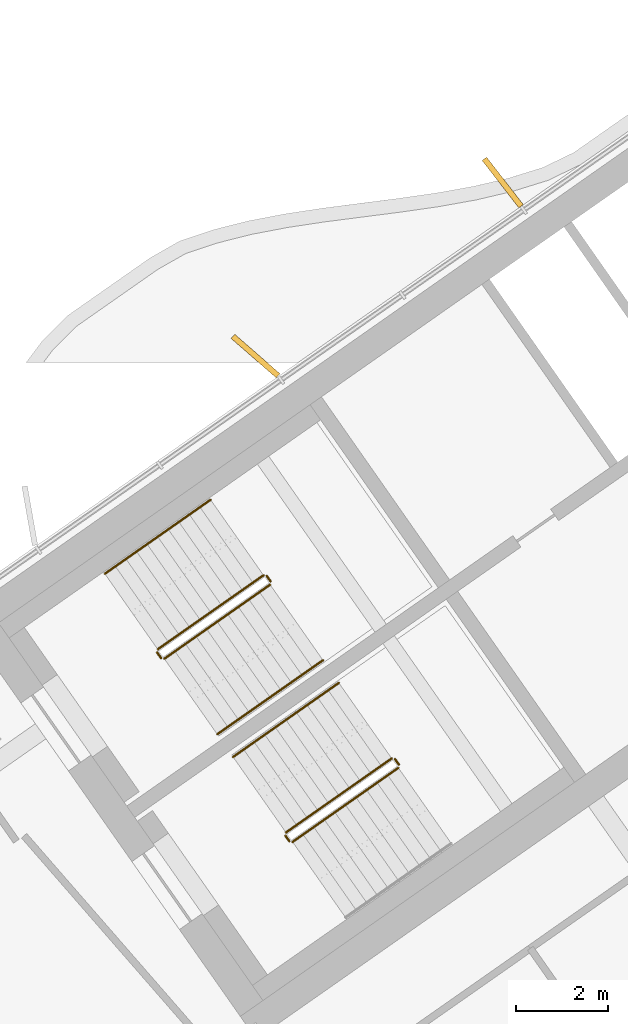
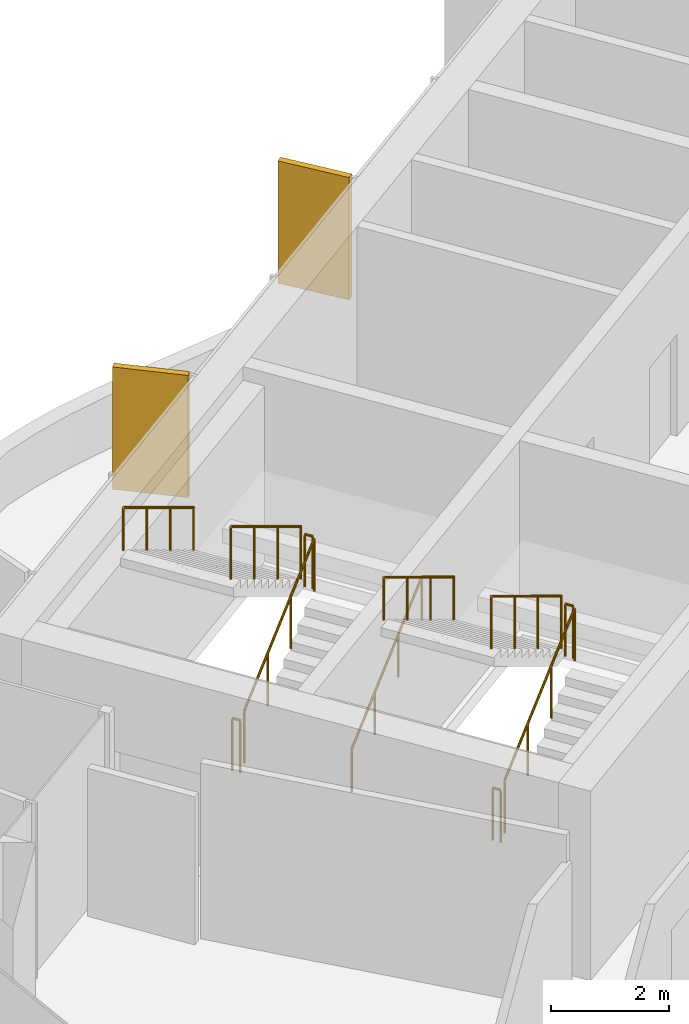
# One storey, part 14 of 18: 11 railings, 2 shading devices.
"""IFC4 building model written with IfcOpenShell, lengths in metres."""

from ifc_helpers import new_model, si_unit, direction, frame, origin, origin_2d, place, context, subcontext, project, spatial, rectangle, circle, extrude, material, layer, layer_set, type_object, element, save


model = new_model("IFC4")

# Units and contexts
model_context = context("Model", 3, precision=1e-05, world=origin(), true_north=direction((0.0, 1.0)))
body_context = subcontext(model_context, "Body", "Model", "MODEL_VIEW")
ifc_project = project(units=[si_unit("LENGTHUNIT", "METRE"), si_unit("AREAUNIT", "SQUARE_METRE"), si_unit("VOLUMEUNIT", "CUBIC_METRE"), si_unit("PLANEANGLEUNIT", "RADIAN"), si_unit("MASSUNIT", "GRAM", prefix="KILO")], contexts=[model_context])

# Site, building, storey
site_placement = place(None, origin())
site = spatial("IfcSite", under=ifc_project, at=site_placement, CompositionType="ELEMENT")
building_placement = place(site_placement, origin())
building = spatial("IfcBuilding", under=site, at=building_placement, Name="Tel Ilan Convention Tower", CompositionType="ELEMENT")
storey_placement = place(building_placement, frame((0.0, 0.0, 272.199951171875)))
storey = spatial("IfcBuildingStorey", under=building, at=storey_placement, Name="L64", CompositionType="ELEMENT", Elevation=272.199951171875)

# Shading devices
ifc_material_1 = material(Name="Aluminium, bronze anodised", Category="aluminium")
ifc_layer = layer(ifc_material_1, 0.1201171875)
ifc_layer_set = layer_set([ifc_layer], Name="FIN BRONZE 1300x120")
shading_device_type = type_object("IfcShadingDeviceType", Name="FIN BRONZE 1300x120", PredefinedType="USERDEFINED", material=ifc_layer_set)
for number, where, z_axis, x_axis, name in (
    (1, (-16.1953125, 2.273681640625, 1.10009765625), (0.0, 0.0, 1.0), (-0.612600545196, 0.790392669516, 0.0), "FIN"),
    (2, (-21.55859375, -1.490234375, 1.10009765625), (0.0, 0.0, 1.0), (-0.753435896329, 0.657521368568, 0.0), "FIN"),
):
    element("IfcShadingDevice", number, at=place(storey_placement, frame(where, z_axis=z_axis, x_axis=x_axis)), inside=storey, type_object=shading_device_type, Name=name, ObjectType="FIN", PredefinedType="USERDEFINED", context=body_context, shape_type="SweptSolid", body=[
        extrude(rectangle(XDim=1.300048828125, YDim=0.1201171875, at=origin_2d()), origin(), (0.0, 0.0, 1.0), 2.52001953125),
    ])

# Railings
ifc_material_2 = material(Name="Stainless Steel Grade 316", Category="steel")
railing_type_1 = type_object("IfcRailingType", Name="Stainless Steel Stair Guard 1100 mm", PredefinedType="GUARDRAIL", material=ifc_material_2)
railing_1_placement = place(storey_placement, frame((-23.535400390625, -8.056396484375, 0.17724609375)))
element("IfcRailing", 3, at=railing_1_placement, inside=storey, type_object=railing_type_1, Name="L64 S1 stair guard 1", PredefinedType="GUARDRAIL", context=body_context, shape_type="SweptSolid", body=[
    extrude(circle(Radius=0.02392578125, at=origin_2d()), frame((0.0, 0.0, 1.076171875), z_axis=(0.692098378994, 0.484653031975, 0.534893701956), x_axis=(-0.573608623498, 0.819129505664, 0.0)), (0.0, 0.0, 1.0), 3.314208984375),
    extrude(circle(Radius=0.02099609375, at=origin_2d()), origin(), (0.0, 0.0, 1.0), 1.052001953125),
    extrude(circle(Radius=0.02099609375, at=origin_2d()), frame((0.7646484375, 0.535400390625, 0.5908203125)), (0.0, 0.0, 1.0), 1.052001953125),
    extrude(circle(Radius=0.02099609375, at=origin_2d()), frame((1.529052734375, 1.07080078125, 1.181884765625)), (0.0, 0.0, 1.0), 1.052001953125),
    extrude(circle(Radius=0.02099609375, at=origin_2d()), frame((2.293701171875, 1.606201171875, 1.772705078125)), (0.0, 0.0, 1.0), 1.052001953125),
])
railing_2_placement = place(storey_placement, frame((-21.2294921875, -6.380615234375, 1.949951171875)))
element("IfcRailing", 4, at=railing_2_placement, inside=storey, type_object=railing_type_1, Name="L64 S1 stair guard 2", PredefinedType="GUARDRAIL", context=body_context, shape_type="SweptSolid", body=[
    extrude(circle(Radius=0.02392578125, at=origin_2d()), frame((0.0, 0.0, 1.076171875), z_axis=(-0.573353020881, 0.819308436089, 0.0), x_axis=(-0.819308436089, -0.573353020881, 0.0)), (0.0, 0.0, 1.0), 0.14990234375),
    extrude(circle(Radius=0.02099609375, at=origin_2d()), origin(), (0.0, 0.0, 1.0), 1.052001953125),
    extrude(circle(Radius=0.02099609375, at=origin_2d()), frame((-0.0859375, 0.122802734375, 0.0)), (0.0, 0.0, 1.0), 1.052001953125),
])
railing_3_placement = place(storey_placement, frame((-21.38525390625, -6.24560546875, 2.12744140625)))
element("IfcRailing", 5, at=railing_3_placement, inside=storey, type_object=railing_type_1, Name="L64 S1 stair guard 3", PredefinedType="GUARDRAIL", context=body_context, shape_type="SweptSolid", body=[
    extrude(circle(Radius=0.02392578125, at=origin_2d()), frame((0.0, 0.0, 1.076171875), z_axis=(-0.692084706163, -0.484621375041, 0.534940073605), x_axis=(0.573591086599, -0.819141785879, 0.0)), (0.0, 0.0, 1.0), 3.313720703125),
    extrude(circle(Radius=0.02099609375, at=origin_2d()), origin(), (0.0, 0.0, 1.0), 1.052001953125),
    extrude(circle(Radius=0.02099609375, at=origin_2d()), frame((-0.764404296875, -0.535400390625, 0.5908203125)), (0.0, 0.0, 1.0), 1.052001953125),
    extrude(circle(Radius=0.02099609375, at=origin_2d()), frame((-1.529052734375, -1.070556640625, 1.181884765625)), (0.0, 0.0, 1.0), 1.052001953125),
    extrude(circle(Radius=0.02099609375, at=origin_2d()), frame((-2.29345703125, -1.60595703125, 1.772705078125)), (0.0, 0.0, 1.0), 1.052001953125),
])
railing_4_placement = place(storey_placement, frame((-23.60498046875, -8.0439453125, 0.0)))
element("IfcRailing", 6, at=railing_4_placement, inside=storey, type_object=railing_type_1, Name="L64 S1 stair guard 4", PredefinedType="GUARDRAIL", context=body_context, shape_type="SweptSolid", body=[
    extrude(circle(Radius=0.02392578125, at=origin_2d()), frame((0.0, 0.0, 1.076171875), z_axis=(-0.574444878118, 0.818543268254, 0.0), x_axis=(-0.818543268254, -0.574444878118, 0.0)), (0.0, 0.0, 1.0), 0.150146484375),
    extrude(circle(Radius=0.02099609375, at=origin_2d()), origin(), (0.0, 0.0, 1.0), 1.052001953125),
    extrude(circle(Radius=0.02099609375, at=origin_2d()), frame((-0.086181640625, 0.122802734375, 0.0)), (0.0, 0.0, 1.0), 1.052001953125),
])
railing_5_placement = place(storey_placement, frame((-20.753662109375, -12.029296875, 0.17724609375)))
element("IfcRailing", 7, at=railing_5_placement, inside=storey, type_object=railing_type_1, Name="L64 S2 stair guard 1", PredefinedType="GUARDRAIL", context=body_context, shape_type="SweptSolid", body=[
    extrude(circle(Radius=0.02392578125, at=origin_2d()), frame((0.0, 0.0, 1.076171875), z_axis=(0.692098378994, 0.484653031975, 0.534893701956), x_axis=(-0.573608623498, 0.819129505664, 0.0)), (0.0, 0.0, 1.0), 3.314208984375),
    extrude(circle(Radius=0.02099609375, at=origin_2d()), origin(), (0.0, 0.0, 1.0), 1.052001953125),
    extrude(circle(Radius=0.02099609375, at=origin_2d()), frame((0.7646484375, 0.535400390625, 0.5908203125)), (0.0, 0.0, 1.0), 1.052001953125),
    extrude(circle(Radius=0.02099609375, at=origin_2d()), frame((1.529052734375, 1.07080078125, 1.181884765625)), (0.0, 0.0, 1.0), 1.052001953125),
    extrude(circle(Radius=0.02099609375, at=origin_2d()), frame((2.293701171875, 1.606201171875, 1.772705078125)), (0.0, 0.0, 1.0), 1.052001953125),
])
railing_6_placement = place(storey_placement, frame((-18.44775390625, -10.353515625, 1.949951171875)))
element("IfcRailing", 8, at=railing_6_placement, inside=storey, type_object=railing_type_1, Name="L64 S2 stair guard 2", PredefinedType="GUARDRAIL", context=body_context, shape_type="SweptSolid", body=[
    extrude(circle(Radius=0.02392578125, at=origin_2d()), frame((0.0, 0.0, 1.076171875), z_axis=(-0.573353020881, 0.819308436089, 0.0), x_axis=(-0.819308436089, -0.573353020881, 0.0)), (0.0, 0.0, 1.0), 0.14990234375),
    extrude(circle(Radius=0.02099609375, at=origin_2d()), origin(), (0.0, 0.0, 1.0), 1.052001953125),
    extrude(circle(Radius=0.02099609375, at=origin_2d()), frame((-0.0859375, 0.122802734375, 0.0)), (0.0, 0.0, 1.0), 1.052001953125),
])
railing_7_placement = place(storey_placement, frame((-18.603271484375, -10.218505859375, 2.12744140625)))
element("IfcRailing", 9, at=railing_7_placement, inside=storey, type_object=railing_type_1, Name="L64 S2 stair guard 3", PredefinedType="GUARDRAIL", context=body_context, shape_type="SweptSolid", body=[
    extrude(circle(Radius=0.02392578125, at=origin_2d()), frame((0.0, 0.0, 1.076171875), z_axis=(-0.692123088272, -0.484596665743, 0.534912798717), x_axis=(0.573550118428, -0.819170471667, 0.0)), (0.0, 0.0, 1.0), 3.31396484375),
    extrude(circle(Radius=0.02099609375, at=origin_2d()), origin(), (0.0, 0.0, 1.0), 1.052001953125),
    extrude(circle(Radius=0.02099609375, at=origin_2d()), frame((-0.7646484375, -0.535400390625, 0.5908203125)), (0.0, 0.0, 1.0), 1.052001953125),
    extrude(circle(Radius=0.02099609375, at=origin_2d()), frame((-1.529052734375, -1.070556640625, 1.181884765625)), (0.0, 0.0, 1.0), 1.052001953125),
    extrude(circle(Radius=0.02099609375, at=origin_2d()), frame((-2.293701171875, -1.60595703125, 1.772705078125)), (0.0, 0.0, 1.0), 1.052001953125),
])
railing_8_placement = place(storey_placement, frame((-20.8232421875, -12.016845703125, 0.0)))
element("IfcRailing", 10, at=railing_8_placement, inside=storey, type_object=railing_type_1, Name="L64 S2 stair guard 4", PredefinedType="GUARDRAIL", context=body_context, shape_type="SweptSolid", body=[
    extrude(circle(Radius=0.02392578125, at=origin_2d()), frame((0.0, 0.0, 1.076171875), z_axis=(-0.573353020881, 0.819308436089, 0.0), x_axis=(-0.819308436089, -0.573353020881, 0.0)), (0.0, 0.0, 1.0), 0.14990234375),
    extrude(circle(Radius=0.02099609375, at=origin_2d()), origin(), (0.0, 0.0, 1.0), 1.052001953125),
    extrude(circle(Radius=0.02099609375, at=origin_2d()), frame((-0.0859375, 0.122802734375, 0.0)), (0.0, 0.0, 1.0), 1.052001953125),
])
ifc_material_3 = material(Name="Stainless Steel Grade 316", Category="steel")
railing_type_2 = type_object("IfcRailingType", Name="Stainless Steel Stair Handrail 900 mm", PredefinedType="HANDRAIL", material=ifc_material_3)
railing_9_placement = place(storey_placement, frame((-22.38818359375, -9.694580078125, 0.17724609375)))
element("IfcRailing", 11, at=railing_9_placement, inside=storey, type_object=railing_type_2, Name="L64 S1 stair handrail 1", PredefinedType="HANDRAIL", context=body_context, shape_type="SweptSolid", body=[
    extrude(circle(Radius=0.02392578125, at=origin_2d()), frame((0.0, 0.0, 0.8759765625), z_axis=(0.692084706163, 0.484621375041, 0.534940073605), x_axis=(-0.573591086599, 0.819141785879, 0.0)), (0.0, 0.0, 1.0), 3.313720703125),
    extrude(circle(Radius=0.02099609375, at=origin_2d()), origin(), (0.0, 0.0, 1.0), 0.851806640625),
    extrude(circle(Radius=0.02099609375, at=origin_2d()), frame((0.764404296875, 0.535400390625, 0.5908203125)), (0.0, 0.0, 1.0), 0.851806640625),
    extrude(circle(Radius=0.02099609375, at=origin_2d()), frame((1.529052734375, 1.070556640625, 1.181884765625)), (0.0, 0.0, 1.0), 0.851806640625),
    extrude(circle(Radius=0.02099609375, at=origin_2d()), frame((2.29345703125, 1.60595703125, 1.772705078125)), (0.0, 0.0, 1.0), 0.851806640625),
])
for number, where, name in (
    (12, (-22.5322265625, -4.607177734375, 2.12744140625), "L64 S1 stair handrail 2"),
    (13, (-19.75048828125, -8.580078125, 2.12744140625), "L64 S2 stair handrail 2"),
):
    element("IfcRailing", number, at=place(storey_placement, frame(where)), inside=storey, type_object=railing_type_2, Name=name, PredefinedType="HANDRAIL", context=body_context, shape_type="SweptSolid", body=[
        extrude(circle(Radius=0.02392578125, at=origin_2d()), frame((0.0, 0.0, 0.8759765625), z_axis=(-0.692123088272, -0.484596665743, 0.534912798717), x_axis=(0.573550118428, -0.819170471667, 0.0)), (0.0, 0.0, 1.0), 3.31396484375),
        extrude(circle(Radius=0.02099609375, at=origin_2d()), origin(), (0.0, 0.0, 1.0), 0.851806640625),
        extrude(circle(Radius=0.02099609375, at=origin_2d()), frame((-0.7646484375, -0.535400390625, 0.5908203125)), (0.0, 0.0, 1.0), 0.851806640625),
        extrude(circle(Radius=0.02099609375, at=origin_2d()), frame((-1.529052734375, -1.070556640625, 1.181884765625)), (0.0, 0.0, 1.0), 0.851806640625),
        extrude(circle(Radius=0.02099609375, at=origin_2d()), frame((-2.293701171875, -1.60595703125, 1.772705078125)), (0.0, 0.0, 1.0), 0.851806640625),
    ])

save(model, "model.ifc")
